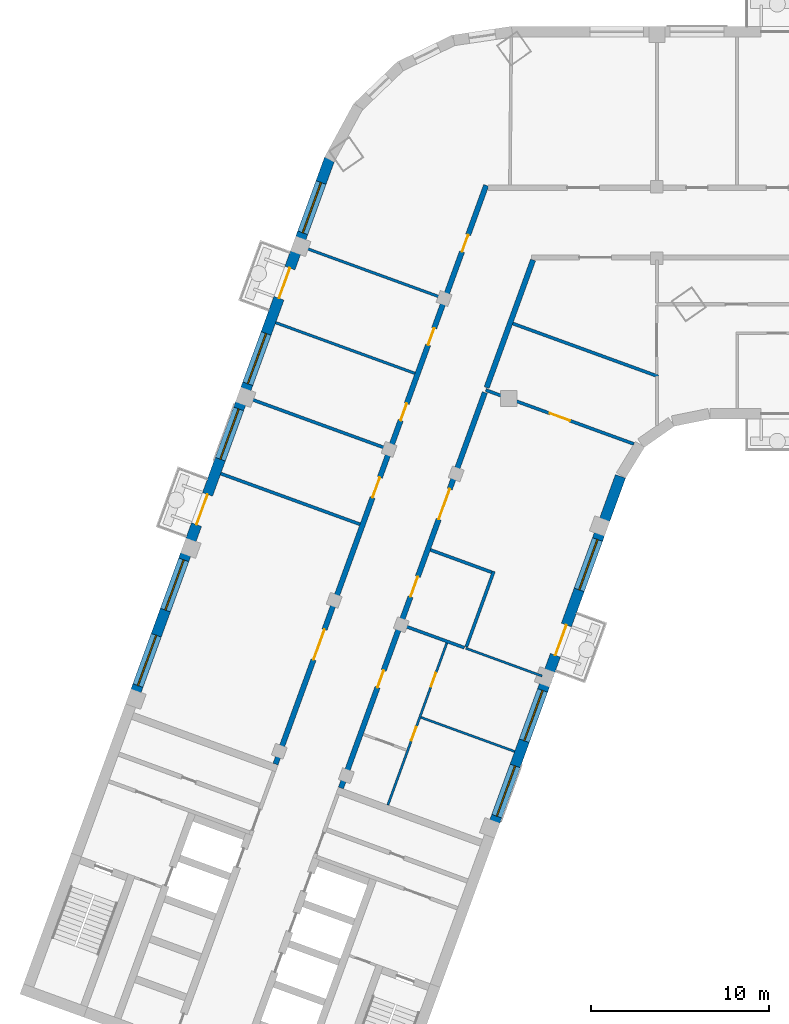
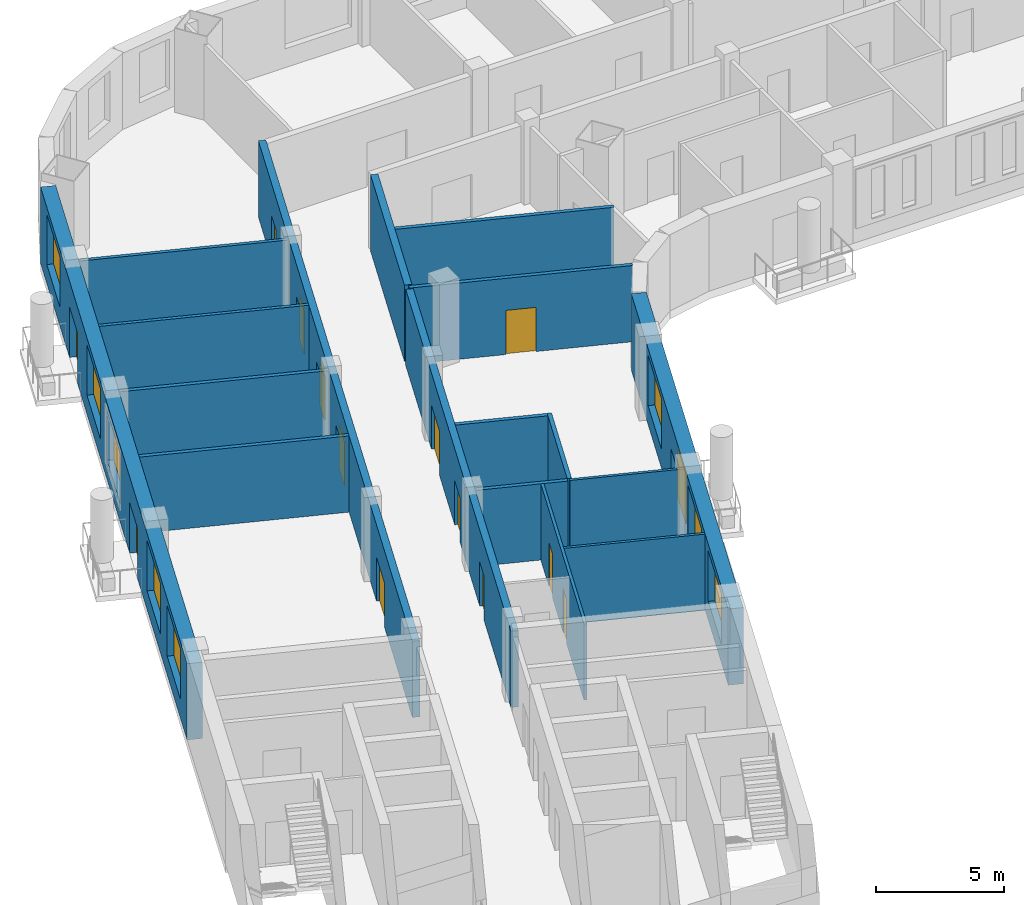
# One storey, part 3 of 16: 17 walls, 14 doors, 8 windows, 22 openings.
"""IFC4 building model written with IfcOpenShell, lengths in metres."""

import ifcopenshell
import ifcopenshell.guid

model = None  # the IFC model being written
_history = None  # IfcOwnerHistory: only IFC2X3 demands one
_inside = {}  # id of a spatial element -> (the spatial element, [elements in it])
_under = {}  # id of a project, library or spatial element -> (it, [spatial elements below it])
_declared = {}  # id of a project -> (the project, [libraries it declares])
_typed = {}  # id of a type object -> (the type object, [elements of that type])
_made_of = {}  # id of a material, layer set ... -> (it, [elements and type objects made of it])


def new_model(schema):
    """Start an empty IFC model of exactly this schema.

    Asked for "IFC4X3", IfcOpenShell would pick the latest addendum, in which some entities
    have other attributes; the version numbers below select the first issue.
    IFC2X3 requires an IfcOwnerHistory on every rooted entity: one is made here for all.
    """
    global model, _history
    if schema == "IFC4X3":
        model = ifcopenshell.file(schema_version=(4, 3, 0, 0))
    else:
        model = ifcopenshell.file(schema=schema)
    _inside.clear()
    _under.clear()
    _declared.clear()
    _typed.clear()
    _made_of.clear()
    _history = None
    if model.schema == "IFC2X3":
        org = make("IfcOrganization", Name="unknown")
        user = make(
            "IfcPersonAndOrganization",
            ThePerson=make("IfcPerson", FamilyName="unknown"),
            TheOrganization=org,
        )
        app = make(
            "IfcApplication",
            ApplicationDeveloper=org,
            Version="unknown",
            ApplicationFullName="unknown",
            ApplicationIdentifier="unknown",
        )
        _history = make(
            "IfcOwnerHistory",
            OwningUser=user,
            OwningApplication=app,
            ChangeAction="ADDED",
            CreationDate=0,
        )
    return model


def make(cls, **values):
    """One entity of the class cls with the attributes given. An attribute that is None is left unset."""
    return model.create_entity(
        cls, **{name: value for name, value in values.items() if value is not None}
    )


def rooted(cls, **values):
    """An entity with a GlobalId (a new one), such as an element, a storey or a relation."""
    return make(cls, GlobalId=ifcopenshell.guid.new(), OwnerHistory=_history, **values)


def si_unit(unit_type, name, prefix=None):
    """IfcSIUnit, for example si_unit("LENGTHUNIT", "METRE", prefix="MILLI")."""
    return make("IfcSIUnit", UnitType=unit_type, Prefix=prefix, Name=name)


def assignment(units):
    """IfcUnitAssignment: the units of a project."""
    return None if units is None else make("IfcUnitAssignment", Units=units)


def point(xyz):
    """IfcCartesianPoint."""
    return None if xyz is None else make("IfcCartesianPoint", Coordinates=xyz)


def direction(xyz):
    """IfcDirection."""
    return None if xyz is None else make("IfcDirection", DirectionRatios=xyz)


def frame(location, z_axis=None, x_axis=None):
    """IfcAxis2Placement3D, a coordinate frame: its origin and axes. An axis left out is left unset."""
    return make(
        "IfcAxis2Placement3D",
        Location=point(location),
        Axis=direction(z_axis),
        RefDirection=direction(x_axis),
    )


def frame_2d(location, x_axis=None):
    """IfcAxis2Placement2D, a coordinate frame in the plane: its origin and x axis."""
    return make(
        "IfcAxis2Placement2D", Location=point(location), RefDirection=direction(x_axis)
    )


def origin():
    """The frame at (0, 0, 0) with its axes left unset."""
    return frame((0.0, 0.0, 0.0))


def place(relative_to, where):
    """IfcLocalPlacement: puts the frame where relative to a parent placement (None: the world)."""
    return make(
        "IfcLocalPlacement", PlacementRelTo=relative_to, RelativePlacement=where
    )


def context(
    kind, dimensions, precision=None, world=None, true_north=None, identifier=None
):
    """IfcGeometricRepresentationContext, for example the 3D "Model" context."""
    return make(
        "IfcGeometricRepresentationContext",
        ContextIdentifier=identifier,
        ContextType=kind,
        CoordinateSpaceDimension=dimensions,
        Precision=precision,
        WorldCoordinateSystem=world,
        TrueNorth=true_north,
    )


def subcontext(parent, identifier, kind, view, scale=None):
    """IfcGeometricRepresentationSubContext, for example "Body" below "Model"."""
    return make(
        "IfcGeometricRepresentationSubContext",
        ContextIdentifier=identifier,
        ContextType=kind,
        ParentContext=parent,
        TargetScale=scale,
        TargetView=view,
    )


def project(units=None, contexts=None):
    """IfcProject with its units and contexts."""
    return rooted(
        "IfcProject",
        Name="project",
        RepresentationContexts=contexts,
        UnitsInContext=assignment(units),
    )


def spatial(cls, under=None, at=None, **own):
    """A site, building, storey or space (cls), placed at a placement, below another one or the project."""
    s = rooted(cls, ObjectPlacement=at, **own)
    if under is not None:
        _under.setdefault(under.id(), (under, []))[1].append(s)
    return s


def profile(cls, at=None, kind="AREA", **sizes):
    """A parametric profile (cls). Its sizes go by their IFC names, for example OverallWidth=200.0."""
    return make(cls, ProfileType=kind, Position=at, **sizes)


def rectangle(**sizes):
    """IfcRectangleProfileDef."""
    return profile("IfcRectangleProfileDef", **sizes)


def extrude(swept, where, along, depth):
    """IfcExtrudedAreaSolid: the profile swept, set in the frame where, extruded along a direction by depth."""
    return make(
        "IfcExtrudedAreaSolid",
        SweptArea=swept,
        Position=where,
        ExtrudedDirection=direction(along),
        Depth=depth,
    )


def shape(context_of_items, identifier, shape_type, items):
    """IfcShapeRepresentation: the items that make up one representation, for example the "Body"."""
    return make(
        "IfcShapeRepresentation",
        ContextOfItems=context_of_items,
        RepresentationIdentifier=identifier,
        RepresentationType=shape_type,
        Items=items,
    )


def material(Name=None, Category=None):
    """IfcMaterial."""
    return make("IfcMaterial", Name=Name, Category=Category)


def layer(
    of_material, thickness, ventilated=None, Name=None, Category=None, Priority=None
):
    """IfcMaterialLayer: one layer of a wall or slab, of a material (None: an air gap)."""
    return make(
        "IfcMaterialLayer",
        Material=of_material,
        LayerThickness=thickness,
        IsVentilated=ventilated,
        Name=Name,
        Category=Category,
        Priority=Priority,
    )


def layer_set(layers, Name=None):
    """IfcMaterialLayerSet."""
    return make("IfcMaterialLayerSet", MaterialLayers=layers, LayerSetName=Name)


def made_of(thing, what):
    """Note that an element or type object is made of a material, layer set ...; save() writes the relation."""
    if what is not None:
        _made_of.setdefault(what.id(), (what, []))[1].append(thing)
    return thing


def type_object(cls, material=None, **own):
    """A type object (cls), such as IfcWallType, which elements share."""
    return made_of(rooted(cls, **own), material)


def element(
    cls,
    number,
    at=None,
    inside=None,
    cuts=None,
    type_object=None,
    material=None,
    context=None,
    identifier="Body",
    shape_type=None,
    held_by="IfcProductDefinitionShape",
    body=None,
    shapes=None,
    **own,
):
    """One element of the class cls, such as IfcWall. Its Tag is "e" and its number.

    at: its placement. inside: the storey or other place that contains it. cuts: it is an
    opening in that element (IfcRelVoidsElement). A single representation is given by context,
    identifier, shape_type and body (its items); several are given by shapes. held_by: the class
    of the entity that holds the representations. save() writes the other relations.
    """
    e = rooted(cls, Tag="e%d" % number, ObjectPlacement=at, **own)
    if body is not None:
        shapes = [shape(context, identifier, shape_type, body)]
    if shapes is not None:
        e.Representation = make(held_by, Representations=shapes)
    if inside is not None:
        _inside.setdefault(inside.id(), (inside, []))[1].append(e)
    if cuts is not None:
        rooted(
            "IfcRelVoidsElement", RelatingBuildingElement=cuts, RelatedOpeningElement=e
        )
    if type_object is not None:
        _typed.setdefault(type_object.id(), (type_object, []))[1].append(e)
    return made_of(e, material)


def fill(opening, filler):
    """IfcRelFillsElement: the door or window that sits in an opening."""
    return rooted(
        "IfcRelFillsElement",
        RelatingOpeningElement=opening,
        RelatedBuildingElement=filler,
    )


def aggregate(whole, parts):
    """IfcRelAggregates: a whole, such as a stair, and the parts it consists of."""
    return rooted("IfcRelAggregates", RelatingObject=whole, RelatedObjects=parts)


def save(model, path):
    """Write the relations noted so far, then the file.

    IfcRelAggregates (storeys below a building ...), IfcRelContainedInSpatialStructure (elements
    in a storey), IfcRelDefinesByType, IfcRelAssociatesMaterial and IfcRelDeclares: one each for
    every whole, place, type object, material and project.
    """
    for whole, parts in _under.values():
        aggregate(whole, parts)
    for where, things in _inside.values():
        rooted(
            "IfcRelContainedInSpatialStructure",
            RelatedElements=things,
            RelatingStructure=where,
        )
    for kind, things in _typed.values():
        rooted("IfcRelDefinesByType", RelatedObjects=things, RelatingType=kind)
    for what, things in _made_of.values():
        rooted("IfcRelAssociatesMaterial", RelatedObjects=things, RelatingMaterial=what)
    for by, libraries in _declared.values():
        rooted("IfcRelDeclares", RelatingContext=by, RelatedDefinitions=libraries)
    model.write(path)


model = new_model("IFC4")

# Units and contexts
model_context = context("Model", 3, precision=1e-05, world=origin(), true_north=direction((0.0, 1.0)))
body_context = subcontext(model_context, "Body", "Model", "MODEL_VIEW")
ifc_project = project(units=[si_unit("LENGTHUNIT", "METRE"), si_unit("AREAUNIT", "SQUARE_METRE"), si_unit("VOLUMEUNIT", "CUBIC_METRE"), si_unit("PLANEANGLEUNIT", "RADIAN"), si_unit("MASSUNIT", "GRAM", prefix="KILO")], contexts=[model_context])

# Site, building, storey
site_placement = place(None, origin())
site = spatial("IfcSite", under=ifc_project, at=site_placement, CompositionType="ELEMENT")
building_placement = place(site_placement, origin())
building = spatial("IfcBuilding", under=site, at=building_placement, Name="Skarvind Civic Tower", CompositionType="ELEMENT")
storey_placement = place(building_placement, frame((0.0, 0.0, 67.5)))
storey = spatial("IfcBuildingStorey", under=building, at=storey_placement, Name="L15", CompositionType="ELEMENT", Elevation=67.5)

# Walls
ifc_material_1 = material(Name="Acoustic gypsum board on steel studs", Category="steel")
ifc_layer_1 = layer(ifc_material_1, 0.175048828125)
ifc_layer_set_1 = layer_set([ifc_layer_1], Name="ACOUSTIC MEETING-ROOM PARTITION 175")
wall_type_1 = type_object("IfcWallType", Name="ACOUSTIC MEETING-ROOM PARTITION 175", PredefinedType="PARTITIONING", material=ifc_layer_set_1)
wall_1_placement = place(storey_placement, frame((29.81396484375, 113.93798828125, 0.0), z_axis=(0.0, 0.0, 1.0), x_axis=(0.939697205528, -0.342007546586, 0.0)))
element("IfcWall", 1, at=wall_1_placement, inside=storey, type_object=wall_type_1, Name="Partition 15.001", PredefinedType="PARTITIONING", context=body_context, shape_type="SweptSolid", body=[
    extrude(rectangle(XDim=8.300537109375, YDim=0.175048828125, at=frame_2d((4.150390625, 0.0))), origin(), (0.0, 0.0, 1.0), 3.625),
])
wall_2_placement = place(storey_placement, frame((31.35302734375, 118.166015625, 0.0), z_axis=(0.0, 0.0, 1.0), x_axis=(0.939687752599, -0.342033518263, 0.0)))
element("IfcWall", 2, at=wall_2_placement, inside=storey, type_object=wall_type_1, Name="Partition 15.002", PredefinedType="PARTITIONING", context=body_context, shape_type="SweptSolid", body=[
    extrude(rectangle(XDim=8.30078125, YDim=0.175048828125, at=frame_2d((4.150390625, 0.0))), origin(), (0.0, 0.0, 1.0), 3.625),
])
wall_3_placement = place(storey_placement, frame((40.02099609375, 105.43408203125, 0.0), z_axis=(0.0, 0.0, 1.0), x_axis=(0.939740864669, -0.341887565249, 0.0)))
element("IfcWall", 3, at=wall_3_placement, inside=storey, type_object=wall_type_1, Name="Partition 15.007", PredefinedType="PARTITIONING", context=body_context, shape_type="SweptSolid", body=[
    extrude(rectangle(XDim=3.66259765625, YDim=0.175048828125, at=frame_2d((1.831298828125, 0.0))), origin(), (0.0, 0.0, 1.0), 3.625),
])
wall_4_placement = place(storey_placement, frame((41.56103515625, 109.6630859375, 0.0), z_axis=(0.0, 0.0, 1.0), x_axis=(0.939623960717, -0.342208726434, 0.0)))
element("IfcWall", 4, at=wall_4_placement, inside=storey, type_object=wall_type_1, Name="Partition 15.010", PredefinedType="PARTITIONING", context=body_context, shape_type="SweptSolid", body=[
    extrude(rectangle(XDim=3.662109375, YDim=0.175048828125, at=frame_2d((1.8310546875, 0.0))), origin(), (0.0, 0.0, 1.0), 3.625),
])

# Wall, opening, door
wall_5_placement = place(storey_placement, frame((52.965087890625, 115.597900390625, 0.0), z_axis=(0.0, 0.0, 1.0), x_axis=(-0.939650555598, 0.342135694374, 0.0)))
wall_5 = element("IfcWall", 5, at=wall_5_placement, inside=storey, type_object=wall_type_1, Name="Partition 15.015", PredefinedType="PARTITIONING", context=body_context, shape_type="SweptSolid", body=[
    extrude(rectangle(XDim=8.836181640625, YDim=0.175048828125, at=frame_2d((4.41796875, 0.0))), origin(), (0.0, 0.0, 1.0), 3.625),
])
opening_1_placement = place(wall_5_placement, frame((3.817626953125, 0.0, 0.0)))
opening_1 = element("IfcOpeningElement", 6, at=opening_1_placement, cuts=wall_5, Name="Opening L15-D031", PredefinedType="OPENING", context=body_context, shape_type="SweptSolid", body=[
    extrude(rectangle(XDim=1.199951171875, YDim=2.10009765625, at=frame_2d((0.60009765625, 1.050048828125))), frame((0.0, 0.097412109375, 0.0), z_axis=(0.0, -1.0, 0.0), x_axis=(1.0, 0.0, 0.0)), (0.0, 0.0, 1.0), 0.195068359375),
])
ifc_material_2 = material(Name="Timber door leaf", Category="wood")
door_type_1 = type_object("IfcDoorType", Name="DOOR 1200X2100 DOUBLE TIMBER", OperationType="NOTDEFINED", PredefinedType="DOOR", material=ifc_material_2)
door_1_placement = place(opening_1_placement, origin())
door_1 = element("IfcDoor", 7, at=door_1_placement, inside=storey, type_object=door_type_1, Name="Door L15-D031", OperationType="DOUBLE_DOOR_SINGLE_SWING", OverallHeight=2.10009765625, OverallWidth=1.199951171875, PredefinedType="DOOR", context=body_context, shape_type="SweptSolid", body=[
    extrude(rectangle(XDim=1.199951171875, YDim=2.10009765625, at=frame_2d((0.60009765625, 1.050048828125))), frame((0.0, 0.02490234375, 0.0), z_axis=(0.0, -1.0, 0.0), x_axis=(1.0, 0.0, 0.0)), (0.0, 0.0, 1.0), 0.050048828125),
])
fill(opening_1, door_1)

# Walls
wall_6_placement = place(storey_placement, frame((45.114013671875, 108.4619140625, 0.0), z_axis=(0.0, 0.0, 1.0), x_axis=(-0.342056723843, -0.93967930576, 0.0)))
element("IfcWall", 8, at=wall_6_placement, inside=storey, type_object=wall_type_1, Name="Partition 15.017", PredefinedType="PARTITIONING", context=body_context, shape_type="SweptSolid", body=[
    extrude(rectangle(XDim=4.49951171875, YDim=0.175048828125, at=frame_2d((2.249755859375, 0.0))), origin(), (0.0, 0.0, 1.0), 3.625),
])
wall_7_placement = place(storey_placement, frame((54.320068359375, 119.384033203125, 0.0), z_axis=(0.0, 0.0, 1.0), x_axis=(-0.939632908118, 0.342184157994, 0.0)))
element("IfcWall", 9, at=wall_7_placement, inside=storey, type_object=wall_type_1, Name="Partition 15.021", PredefinedType="PARTITIONING", context=body_context, shape_type="SweptSolid", body=[
    extrude(rectangle(XDim=8.665283203125, YDim=0.175048828125, at=frame_2d((4.33251953125, 0.0))), origin(), (0.0, 0.0, 1.0), 3.625),
])

# Wall, openings, doors
ifc_material_3 = material(Name="Fire-rated gypsum board on steel studs", Category="steel")
ifc_layer_2 = layer(ifc_material_3, 0.300048828125)
ifc_layer_set_2 = layer_set([ifc_layer_2], Name="CORRIDOR WALL 300")
wall_type_2 = type_object("IfcWallType", Name="CORRIDOR WALL 300", PredefinedType="PARTITIONING", material=ifc_layer_set_2)
wall_8_placement = place(storey_placement, frame((32.881103515625, 97.656982421875, 0.0), z_axis=(0.0, 0.0, 1.0), x_axis=(0.342017360004, 0.939693633828, 0.0)))
wall_8 = element("IfcWall", 10, at=wall_8_placement, inside=storey, type_object=wall_type_2, Name="Partition 15.003", PredefinedType="PARTITIONING", context=body_context, shape_type="SweptSolid", body=[
    extrude(rectangle(XDim=34.515625, YDim=0.300048828125, at=frame_2d((17.2578125, 0.0))), origin(), (0.0, 0.0, 1.0), 3.625),
])
opening_2_placement = place(wall_8_placement, frame((6.22509765625, 0.0, 0.0)))
opening_2 = element("IfcOpeningElement", 11, at=opening_2_placement, cuts=wall_8, Name="Opening L15-D017", PredefinedType="OPENING", context=body_context, shape_type="SweptSolid", body=[
    extrude(rectangle(XDim=1.800048828125, YDim=2.10009765625, at=frame_2d((0.89990234375, 1.050048828125))), frame((0.0, 0.159912109375, 0.0), z_axis=(0.0, -1.0, 0.0), x_axis=(1.0, 0.0, 0.0)), (0.0, 0.0, 1.0), 0.320068359375),
])
opening_3_placement = place(wall_8_placement, frame((15.900146484375, 0.0, 0.0)))
opening_3 = element("IfcOpeningElement", 12, at=opening_3_placement, cuts=wall_8, Name="Opening L15-D018", PredefinedType="OPENING", context=body_context, shape_type="SweptSolid", body=[
    extrude(rectangle(XDim=1.199951171875, YDim=2.10009765625, at=frame_2d((0.60009765625, 1.050048828125))), frame((0.0, 0.159912109375, 0.0), z_axis=(0.0, -1.0, 0.0), x_axis=(1.0, 0.0, 0.0)), (0.0, 0.0, 1.0), 0.320068359375),
])
opening_4_placement = place(wall_8_placement, frame((20.5, 0.0, 0.0)))
opening_4 = element("IfcOpeningElement", 13, at=opening_4_placement, cuts=wall_8, Name="Opening L15-D019", PredefinedType="OPENING", context=body_context, shape_type="SweptSolid", body=[
    extrude(rectangle(XDim=1.0, YDim=2.10009765625, at=frame_2d((0.5, 1.050048828125))), frame((0.0, 0.159912109375, 0.0), z_axis=(0.0, -1.0, 0.0), x_axis=(1.0, 0.0, 0.0)), (0.0, 0.0, 1.0), 0.320068359375),
])
opening_5_placement = place(wall_8_placement, frame((25.000244140625, 0.0, 0.0)))
opening_5 = element("IfcOpeningElement", 14, at=opening_5_placement, cuts=wall_8, Name="Opening L15-D020", PredefinedType="OPENING", context=body_context, shape_type="SweptSolid", body=[
    extrude(rectangle(XDim=1.0, YDim=2.10009765625, at=frame_2d((0.5, 1.050048828125))), frame((0.0, 0.159912109375, 0.0), z_axis=(0.0, -1.0, 0.0), x_axis=(1.0, 0.0, 0.0)), (0.0, 0.0, 1.0), 0.320068359375),
])
opening_6_placement = place(wall_8_placement, frame((30.5615234375, 0.0, 0.0)))
opening_6 = element("IfcOpeningElement", 15, at=opening_6_placement, cuts=wall_8, Name="Opening L15-D027", PredefinedType="OPENING", context=body_context, shape_type="SweptSolid", body=[
    extrude(rectangle(XDim=1.0, YDim=2.10009765625, at=frame_2d((0.5, 1.050048828125))), frame((0.0, 0.159912109375, 0.0), z_axis=(0.0, -1.0, 0.0), x_axis=(1.0, 0.0, 0.0)), (0.0, 0.0, 1.0), 0.320068359375),
])
ifc_material_4 = material(Name="Fire-rated timber door leaf", Category="wood")
door_type_2 = type_object("IfcDoorType", Name="FD1 1000x2100", OperationType="NOTDEFINED", PredefinedType="DOOR", material=ifc_material_4)
door_2_placement = place(opening_4_placement, origin())
door_2 = element("IfcDoor", 16, at=door_2_placement, inside=storey, type_object=door_type_2, Name="Door L15-D019", OperationType="SINGLE_SWING_LEFT", OverallHeight=2.10009765625, OverallWidth=1.0, PredefinedType="DOOR", context=body_context, shape_type="SweptSolid", body=[
    extrude(rectangle(XDim=1.0, YDim=2.10009765625, at=frame_2d((0.5, 1.050048828125))), frame((0.0, 0.02490234375, 0.0), z_axis=(0.0, -1.0, 0.0), x_axis=(1.0, 0.0, 0.0)), (0.0, 0.0, 1.0), 0.050048828125),
])
fill(opening_4, door_2)
door_3_placement = place(opening_5_placement, origin())
door_3 = element("IfcDoor", 17, at=door_3_placement, inside=storey, type_object=door_type_2, Name="Door L15-D020", OperationType="SINGLE_SWING_RIGHT", OverallHeight=2.10009765625, OverallWidth=1.0, PredefinedType="DOOR", context=body_context, shape_type="SweptSolid", body=[
    extrude(rectangle(XDim=1.0, YDim=2.10009765625, at=frame_2d((0.5, 1.050048828125))), frame((0.0, 0.02490234375, 0.0), z_axis=(0.0, -1.0, 0.0), x_axis=(1.0, 0.0, 0.0)), (0.0, 0.0, 1.0), 0.050048828125),
])
fill(opening_5, door_3)
door_4_placement = place(opening_6_placement, origin())
door_4 = element("IfcDoor", 18, at=door_4_placement, inside=storey, type_object=door_type_2, Name="Door L15-D027", OperationType="SINGLE_SWING_LEFT", OverallHeight=2.10009765625, OverallWidth=1.0, PredefinedType="DOOR", context=body_context, shape_type="SweptSolid", body=[
    extrude(rectangle(XDim=1.0, YDim=2.10009765625, at=frame_2d((0.5, 1.050048828125))), frame((0.0, 0.02490234375, 0.0), z_axis=(0.0, -1.0, 0.0), x_axis=(1.0, 0.0, 0.0)), (0.0, 0.0, 1.0), 0.050048828125),
])
fill(opening_6, door_4)
door_type_3 = type_object("IfcDoorType", Name="FD4 1800x2100", OperationType="NOTDEFINED", PredefinedType="DOOR", material=ifc_material_4)
door_5_placement = place(opening_2_placement, origin())
door_5 = element("IfcDoor", 19, at=door_5_placement, inside=storey, type_object=door_type_3, Name="Door L15-D017", OperationType="DOUBLE_DOOR_SINGLE_SWING", OverallHeight=2.10009765625, OverallWidth=1.800048828125, PredefinedType="DOOR", context=body_context, shape_type="SweptSolid", body=[
    extrude(rectangle(XDim=1.800048828125, YDim=2.10009765625, at=frame_2d((0.89990234375, 1.050048828125))), frame((0.0, 0.02490234375, 0.0), z_axis=(0.0, -1.0, 0.0), x_axis=(1.0, 0.0, 0.0)), (0.0, 0.0, 1.0), 0.050048828125),
])
fill(opening_2, door_5)
door_type_4 = type_object("IfcDoorType", Name="FD6 1200x2100 DOUBLE", OperationType="NOTDEFINED", PredefinedType="DOOR", material=ifc_material_4)
door_6_placement = place(opening_3_placement, origin())
door_6 = element("IfcDoor", 20, at=door_6_placement, inside=storey, type_object=door_type_4, Name="Door L15-D018", OperationType="DOUBLE_DOOR_SINGLE_SWING", OverallHeight=2.10009765625, OverallWidth=1.199951171875, PredefinedType="DOOR", context=body_context, shape_type="SweptSolid", body=[
    extrude(rectangle(XDim=1.199951171875, YDim=2.10009765625, at=frame_2d((0.60009765625, 1.050048828125))), frame((0.0, 0.02490234375, 0.0), z_axis=(0.0, -1.0, 0.0), x_axis=(1.0, 0.0, 0.0)), (0.0, 0.0, 1.0), 0.050048828125),
])
fill(opening_3, door_6)

wall_9_placement = place(storey_placement, frame((44.612060546875, 118.48291015625, 0.0), z_axis=(0.0, 0.0, 1.0), x_axis=(-0.342043123066, -0.939684256526, 0.0)))
wall_9 = element("IfcWall", 21, at=wall_9_placement, inside=storey, type_object=wall_type_2, Name="Partition 15.016", PredefinedType="PARTITIONING", context=body_context, shape_type="SweptSolid", body=[
    extrude(rectangle(XDim=23.582275390625, YDim=0.300048828125, at=frame_2d((11.791015625, 0.0))), origin(), (0.0, 0.0, 1.0), 3.625),
])
opening_7_placement = place(wall_9_placement, frame((16.58251953125, 0.0, 0.0)))
opening_7 = element("IfcOpeningElement", 22, at=opening_7_placement, cuts=wall_9, Name="Opening L15-D021", PredefinedType="OPENING", context=body_context, shape_type="SweptSolid", body=[
    extrude(rectangle(XDim=1.0, YDim=2.10009765625, at=frame_2d((0.5, 1.050048828125))), frame((0.0, 0.159912109375, 0.0), z_axis=(0.0, -1.0, 0.0), x_axis=(1.0, 0.0, 0.0)), (0.0, 0.0, 1.0), 0.320068359375),
])
opening_8_placement = place(wall_9_placement, frame((10.982177734375, 0.0, 0.0)))
opening_8 = element("IfcOpeningElement", 23, at=opening_8_placement, cuts=wall_9, Name="Opening L15-D025", PredefinedType="OPENING", context=body_context, shape_type="SweptSolid", body=[
    extrude(rectangle(XDim=1.199951171875, YDim=2.10009765625, at=frame_2d((0.60009765625, 1.050048828125))), frame((0.0, 0.159912109375, 0.0), z_axis=(0.0, -1.0, 0.0), x_axis=(1.0, 0.0, 0.0)), (0.0, 0.0, 1.0), 0.320068359375),
])
opening_9_placement = place(wall_9_placement, frame((5.755859375, 0.0, 0.0)))
opening_9 = element("IfcOpeningElement", 24, at=opening_9_placement, cuts=wall_9, Name="Opening L15-D026", PredefinedType="OPENING", context=body_context, shape_type="SweptSolid", body=[
    extrude(rectangle(XDim=1.800048828125, YDim=2.10009765625, at=frame_2d((0.89990234375, 1.050048828125))), frame((0.0, 0.159912109375, 0.0), z_axis=(0.0, -1.0, 0.0), x_axis=(1.0, 0.0, 0.0)), (0.0, 0.0, 1.0), 0.320068359375),
])
door_7_placement = place(opening_7_placement, origin())
door_7 = element("IfcDoor", 25, at=door_7_placement, inside=storey, type_object=door_type_2, Name="Door L15-D021", OperationType="SINGLE_SWING_LEFT", OverallHeight=2.10009765625, OverallWidth=1.0, PredefinedType="DOOR", context=body_context, shape_type="SweptSolid", body=[
    extrude(rectangle(XDim=1.0, YDim=2.10009765625, at=frame_2d((0.5, 1.050048828125))), frame((0.0, 0.02490234375, 0.0), z_axis=(0.0, -1.0, 0.0), x_axis=(1.0, 0.0, 0.0)), (0.0, 0.0, 1.0), 0.050048828125),
])
fill(opening_7, door_7)
door_8_placement = place(opening_9_placement, origin())
door_8 = element("IfcDoor", 26, at=door_8_placement, inside=storey, type_object=door_type_3, Name="Door L15-D026", OperationType="DOUBLE_DOOR_SINGLE_SWING", OverallHeight=2.10009765625, OverallWidth=1.800048828125, PredefinedType="DOOR", context=body_context, shape_type="SweptSolid", body=[
    extrude(rectangle(XDim=1.800048828125, YDim=2.10009765625, at=frame_2d((0.89990234375, 1.050048828125))), frame((0.0, 0.02490234375, 0.0), z_axis=(0.0, -1.0, 0.0), x_axis=(1.0, 0.0, 0.0)), (0.0, 0.0, 1.0), 0.050048828125),
])
fill(opening_9, door_8)
door_9_placement = place(opening_8_placement, origin())
door_9 = element("IfcDoor", 27, at=door_9_placement, inside=storey, type_object=door_type_4, Name="Door L15-D025", OperationType="DOUBLE_DOOR_SINGLE_SWING", OverallHeight=2.10009765625, OverallWidth=1.199951171875, PredefinedType="DOOR", context=body_context, shape_type="SweptSolid", body=[
    extrude(rectangle(XDim=1.199951171875, YDim=2.10009765625, at=frame_2d((0.60009765625, 1.050048828125))), frame((0.0, 0.02490234375, 0.0), z_axis=(0.0, -1.0, 0.0), x_axis=(1.0, 0.0, 0.0)), (0.0, 0.0, 1.0), 0.050048828125),
])
fill(opening_8, door_9)

# Walls
wall_10_placement = place(storey_placement, frame((47.31396484375, 125.908935546875, 0.0), z_axis=(0.0, 0.0, 1.0), x_axis=(-0.34198522802, -0.939705328183, 0.0)))
element("IfcWall", 28, at=wall_10_placement, inside=storey, type_object=wall_type_2, Name="Partition 15.019", PredefinedType="PARTITIONING", context=body_context, shape_type="SweptSolid", body=[
    extrude(rectangle(XDim=7.608642578125, YDim=0.300048828125, at=frame_2d((3.80419921875, 0.0))), origin(), (0.0, 0.0, 1.0), 3.625),
])
ifc_material_5 = material(Name="Plasterboard partition on steel studs", Category="steel")
ifc_layer_3 = layer(ifc_material_5, 0.14990234375)
ifc_layer_set_3 = layer_set([ifc_layer_3], Name="PARTITION 150")
wall_type_3 = type_object("IfcWallType", Name="PARTITION 150", PredefinedType="PARTITIONING", material=ifc_layer_set_3)
wall_11_placement = place(storey_placement, frame((32.89208984375, 122.39501953125, 0.0), z_axis=(0.0, 0.0, 1.0), x_axis=(0.939684311623, -0.3420429717, 0.0)))
element("IfcWall", 29, at=wall_11_placement, inside=storey, type_object=wall_type_3, Name="Partition 15.004", PredefinedType="PARTITIONING", context=body_context, shape_type="SweptSolid", body=[
    extrude(rectangle(XDim=8.300537109375, YDim=0.14990234375, at=frame_2d((4.150390625, 0.0))), origin(), (0.0, 0.0, 1.0), 3.625),
])
wall_12_placement = place(storey_placement, frame((42.23095703125, 123.784912109375, 0.0), z_axis=(0.0, 0.0, 1.0), x_axis=(-0.939687752599, 0.342033518263, 0.0)))
element("IfcWall", 30, at=wall_12_placement, inside=storey, type_object=wall_type_3, Name="Partition 15.011", PredefinedType="PARTITIONING", context=body_context, shape_type="SweptSolid", body=[
    extrude(rectangle(XDim=8.30078125, YDim=0.14990234375, at=frame_2d((4.150390625, 0.0))), origin(), (0.0, 0.0, 1.0), 3.625),
])

# Wall, openings, doors
ifc_material_6 = material(Name="Moisture-resistant gypsum board on steel studs", Category="steel")
ifc_layer_4 = layer(ifc_material_6, 0.125)
ifc_layer_set_4 = layer_set([ifc_layer_4], Name="WC PARTITION 125")
wall_type_4 = type_object("IfcWallType", Name="WC PARTITION 125", PredefinedType="PARTITIONING", material=ifc_layer_set_4)
wall_13_placement = place(storey_placement, frame((42.48193359375, 104.446044921875, 0.0), z_axis=(0.0, 0.0, 1.0), x_axis=(-0.342025030348, -0.939690842041, 0.0)))
wall_13 = element("IfcWall", 31, at=wall_13_placement, inside=storey, type_object=wall_type_4, Name="Partition 15.006", PredefinedType="PARTITIONING", context=body_context, shape_type="SweptSolid", body=[
    extrude(rectangle(XDim=9.662841796875, YDim=0.125, at=frame_2d((4.83154296875, 0.0))), origin(), (0.0, 0.0, 1.0), 3.625),
])
opening_10_placement = place(wall_13_placement, frame((1.796630859375, 0.0, 0.0)))
opening_10 = element("IfcOpeningElement", 32, at=opening_10_placement, cuts=wall_13, Name="Opening L15-D023", PredefinedType="OPENING", context=body_context, shape_type="SweptSolid", body=[
    extrude(rectangle(XDim=0.800048828125, YDim=2.10009765625, at=frame_2d((0.39990234375, 1.050048828125))), frame((0.0, 0.072509765625, 0.0), z_axis=(0.0, -1.0, 0.0), x_axis=(1.0, 0.0, 0.0)), (0.0, 0.0, 1.0), 0.14501953125),
])
opening_11_placement = place(wall_13_placement, frame((5.0146484375, 0.0, 0.0)))
opening_11 = element("IfcOpeningElement", 33, at=opening_11_placement, cuts=wall_13, Name="Opening L15-D024", PredefinedType="OPENING", context=body_context, shape_type="SweptSolid", body=[
    extrude(rectangle(XDim=0.800048828125, YDim=2.10009765625, at=frame_2d((0.39990234375, 1.050048828125))), frame((0.0, 0.072509765625, 0.0), z_axis=(0.0, -1.0, 0.0), x_axis=(1.0, 0.0, 0.0)), (0.0, 0.0, 1.0), 0.14501953125),
])
door_type_5 = type_object("IfcDoorType", Name="DOOR 800X2100 TIMBER", OperationType="NOTDEFINED", PredefinedType="DOOR", material=ifc_material_2)
door_10_placement = place(opening_10_placement, origin())
door_10 = element("IfcDoor", 34, at=door_10_placement, inside=storey, type_object=door_type_5, Name="Door L15-D023", OperationType="SINGLE_SWING_RIGHT", OverallHeight=2.10009765625, OverallWidth=0.800048828125, PredefinedType="DOOR", context=body_context, shape_type="SweptSolid", body=[
    extrude(rectangle(XDim=0.800048828125, YDim=2.10009765625, at=frame_2d((0.39990234375, 1.050048828125))), frame((0.0, 0.02490234375, 0.0), z_axis=(0.0, -1.0, 0.0), x_axis=(1.0, 0.0, 0.0)), (0.0, 0.0, 1.0), 0.050048828125),
])
fill(opening_10, door_10)
door_11_placement = place(opening_11_placement, origin())
door_11 = element("IfcDoor", 35, at=door_11_placement, inside=storey, type_object=door_type_5, Name="Door L15-D024", OperationType="SINGLE_SWING_LEFT", OverallHeight=2.10009765625, OverallWidth=0.800048828125, PredefinedType="DOOR", context=body_context, shape_type="SweptSolid", body=[
    extrude(rectangle(XDim=0.800048828125, YDim=2.10009765625, at=frame_2d((0.39990234375, 1.050048828125))), frame((0.0, 0.02490234375, 0.0), z_axis=(0.0, -1.0, 0.0), x_axis=(1.0, 0.0, 0.0)), (0.0, 0.0, 1.0), 0.050048828125),
])
fill(opening_11, door_11)

# Walls
wall_14_placement = place(storey_placement, frame((41.031005859375, 100.278076171875, 0.0), z_axis=(0.0, 0.0, 1.0), x_axis=(0.939696437289, -0.342009657388, 0.0)))
element("IfcWall", 36, at=wall_14_placement, inside=storey, type_object=wall_type_4, Name="Partition 15.009", PredefinedType="PARTITIONING", context=body_context, shape_type="SweptSolid", body=[
    extrude(rectangle(XDim=5.587890625, YDim=0.125, at=frame_2d((2.7939453125, 0.0))), origin(), (0.0, 0.0, 1.0), 3.625),
])
wall_15_placement = place(storey_placement, frame((43.5419921875, 104.153076171875, 0.0), z_axis=(0.0, 0.0, 1.0), x_axis=(0.939646198652, -0.34214766017, 0.0)))
element("IfcWall", 37, at=wall_15_placement, inside=storey, type_object=wall_type_4, Name="Partition 15.012", PredefinedType="PARTITIONING", context=body_context, shape_type="SweptSolid", body=[
    extrude(rectangle(XDim=4.553955078125, YDim=0.125, at=frame_2d((2.27685546875, 0.0))), origin(), (0.0, 0.0, 1.0), 3.625),
])

# Wall, openings, door, windows
ifc_material_7 = material(Name="Limestone masonry cladding on insulated backing", Category="masonry")
ifc_layer_5 = layer(ifc_material_7, 0.60009765625)
ifc_layer_set_5 = layer_set([ifc_layer_5], Name="WX1 STONE FACADE WALL 600")
wall_type_5 = type_object("IfcWallType", Name="WX1 STONE FACADE WALL 600", PredefinedType="SOLIDWALL", material=ifc_layer_set_5)
wall_16_placement = place(storey_placement, frame((52.212158203125, 113.78271484375, 0.0), z_axis=(0.0, 0.0, 1.0), x_axis=(-0.34202521188, -0.939690775968, 0.0)))
wall_16 = element("IfcWall", 38, at=wall_16_placement, inside=storey, type_object=wall_type_5, Name="STONE FACADE WALL", PredefinedType="SOLIDWALL", context=body_context, shape_type="SweptSolid", body=[
    extrude(rectangle(XDim=21.744873046875, YDim=0.60009765625, at=frame_2d((10.87255859375, 0.0))), origin(), (0.0, 0.0, 1.0), 3.625),
])
opening_12_placement = place(wall_16_placement, frame((3.764892578125, 0.0, 0.89990234375)))
opening_12 = element("IfcOpeningElement", 39, at=opening_12_placement, cuts=wall_16, Name="Opening WN1", PredefinedType="OPENING", context=body_context, shape_type="SweptSolid", body=[
    extrude(rectangle(XDim=3.0, YDim=2.39990234375, at=frame_2d((1.5, 1.199951171875))), frame((0.0, 0.31005859375, 0.0), z_axis=(0.0, -1.0, 0.0), x_axis=(1.0, 0.0, 0.0)), (0.0, 0.0, 1.0), 0.6201171875),
])
opening_13_placement = place(wall_16_placement, frame((8.864990234375, 0.0, 0.0)))
opening_13 = element("IfcOpeningElement", 40, at=opening_13_placement, cuts=wall_16, Name="Opening DX3", PredefinedType="OPENING", context=body_context, shape_type="SweptSolid", body=[
    extrude(rectangle(XDim=1.800048828125, YDim=2.39990234375, at=frame_2d((0.89990234375, 1.199951171875))), frame((0.0, 0.31005859375, 0.0), z_axis=(0.0, -1.0, 0.0), x_axis=(1.0, 0.0, 0.0)), (0.0, 0.0, 1.0), 0.6201171875),
])
opening_14_placement = place(wall_16_placement, frame((12.764892578125, 0.0, 0.89990234375)))
opening_14 = element("IfcOpeningElement", 41, at=opening_14_placement, cuts=wall_16, Name="Opening WN1", PredefinedType="OPENING", context=body_context, shape_type="SweptSolid", body=[
    extrude(rectangle(XDim=3.0, YDim=2.39990234375, at=frame_2d((1.5, 1.199951171875))), frame((0.0, 0.31005859375, 0.0), z_axis=(0.0, -1.0, 0.0), x_axis=(1.0, 0.0, 0.0)), (0.0, 0.0, 1.0), 0.6201171875),
])
opening_15_placement = place(wall_16_placement, frame((17.264892578125, 0.0, 0.89990234375)))
opening_15 = element("IfcOpeningElement", 42, at=opening_15_placement, cuts=wall_16, Name="Opening WN1", PredefinedType="OPENING", context=body_context, shape_type="SweptSolid", body=[
    extrude(rectangle(XDim=3.0, YDim=2.39990234375, at=frame_2d((1.5, 1.199951171875))), frame((0.0, 0.31005859375, 0.0), z_axis=(0.0, -1.0, 0.0), x_axis=(1.0, 0.0, 0.0)), (0.0, 0.0, 1.0), 0.6201171875),
])
ifc_material_8 = material(Name="Timber and glass doorset", Category="wood")
door_type_6 = type_object("IfcDoorType", Name="DX3 TERRACE DOORS 1800 x 2400", OperationType="NOTDEFINED", PredefinedType="DOOR", material=ifc_material_8)
door_12_placement = place(opening_13_placement, origin())
door_12 = element("IfcDoor", 43, at=door_12_placement, inside=storey, type_object=door_type_6, Name="TERRACE DOORS", OperationType="DOUBLE_DOOR_SINGLE_SWING", OverallHeight=2.39990234375, OverallWidth=1.800048828125, PredefinedType="DOOR", context=body_context, shape_type="SweptSolid", body=[
    extrude(rectangle(XDim=1.800048828125, YDim=2.39990234375, at=frame_2d((0.89990234375, 1.199951171875))), frame((0.0, 0.02490234375, 0.0), z_axis=(0.0, -1.0, 0.0), x_axis=(1.0, 0.0, 0.0)), (0.0, 0.0, 1.0), 0.050048828125),
])
fill(opening_13, door_12)
ifc_material_9 = material(Name="Timber frame, double glazing, timber-lined reveal", Category="wood")
window_type = type_object("IfcWindowType", Name="WN1 PUNCHED STONE WINDOW 3000 x 2400", PartitioningType="SINGLE_PANEL", PredefinedType="WINDOW", material=ifc_material_9)
window_1_placement = place(opening_12_placement, origin())
window_1 = element("IfcWindow", 44, at=window_1_placement, inside=storey, type_object=window_type, Name="WN1 WINDOW", OverallHeight=2.39990234375, OverallWidth=3.0, PartitioningType="SINGLE_PANEL", PredefinedType="WINDOW", context=body_context, shape_type="SweptSolid", body=[
    extrude(rectangle(XDim=3.0, YDim=2.39990234375, at=frame_2d((1.5, 1.199951171875))), frame((0.0, 0.030029296875, 0.0), z_axis=(0.0, -1.0, 0.0), x_axis=(1.0, 0.0, 0.0)), (0.0, 0.0, 1.0), 0.06005859375),
])
fill(opening_12, window_1)
window_2_placement = place(opening_14_placement, origin())
window_2 = element("IfcWindow", 45, at=window_2_placement, inside=storey, type_object=window_type, Name="WN1 WINDOW", OverallHeight=2.39990234375, OverallWidth=3.0, PartitioningType="SINGLE_PANEL", PredefinedType="WINDOW", context=body_context, shape_type="SweptSolid", body=[
    extrude(rectangle(XDim=3.0, YDim=2.39990234375, at=frame_2d((1.5, 1.199951171875))), frame((0.0, 0.030029296875, 0.0), z_axis=(0.0, -1.0, 0.0), x_axis=(1.0, 0.0, 0.0)), (0.0, 0.0, 1.0), 0.06005859375),
])
fill(opening_14, window_2)
window_3_placement = place(opening_15_placement, origin())
window_3 = element("IfcWindow", 46, at=window_3_placement, inside=storey, type_object=window_type, Name="WN1 WINDOW", OverallHeight=2.39990234375, OverallWidth=3.0, PartitioningType="SINGLE_PANEL", PredefinedType="WINDOW", context=body_context, shape_type="SweptSolid", body=[
    extrude(rectangle(XDim=3.0, YDim=2.39990234375, at=frame_2d((1.5, 1.199951171875))), frame((0.0, 0.030029296875, 0.0), z_axis=(0.0, -1.0, 0.0), x_axis=(1.0, 0.0, 0.0)), (0.0, 0.0, 1.0), 0.06005859375),
])
fill(opening_15, window_3)

# Wall, openings, doors, windows
wall_17_placement = place(storey_placement, frame((24.66552734375, 100.668701171875, 0.0), z_axis=(0.0, 0.0, 1.0), x_axis=(0.34201964167, 0.939692803373, 0.0)))
wall_17 = element("IfcWall", 47, at=wall_17_placement, inside=storey, type_object=wall_type_5, Name="STONE FACADE WALL", PredefinedType="SOLIDWALL", context=body_context, shape_type="SweptSolid", body=[
    extrude(rectangle(XDim=32.88427734375, YDim=0.60009765625, at=frame_2d((16.442138671875, 0.0))), origin(), (0.0, 0.0, 1.0), 3.625),
])
opening_16_placement = place(wall_17_placement, frame((1.47998046875, 0.0, 0.89990234375)))
opening_16 = element("IfcOpeningElement", 48, at=opening_16_placement, cuts=wall_17, Name="Opening WN1", PredefinedType="OPENING", context=body_context, shape_type="SweptSolid", body=[
    extrude(rectangle(XDim=3.0, YDim=2.39990234375, at=frame_2d((1.5, 1.199951171875))), frame((0.0, 0.31005859375, 0.0), z_axis=(0.0, -1.0, 0.0), x_axis=(1.0, 0.0, 0.0)), (0.0, 0.0, 1.0), 0.6201171875),
])
opening_17_placement = place(wall_17_placement, frame((5.97998046875, 0.0, 0.89990234375)))
opening_17 = element("IfcOpeningElement", 49, at=opening_17_placement, cuts=wall_17, Name="Opening WN1", PredefinedType="OPENING", context=body_context, shape_type="SweptSolid", body=[
    extrude(rectangle(XDim=3.0, YDim=2.39990234375, at=frame_2d((1.5, 1.199951171875))), frame((0.0, 0.31005859375, 0.0), z_axis=(0.0, -1.0, 0.0), x_axis=(1.0, 0.0, 0.0)), (0.0, 0.0, 1.0), 0.6201171875),
])
opening_18_placement = place(wall_17_placement, frame((11.080078125, 0.0, 0.0)))
opening_18 = element("IfcOpeningElement", 50, at=opening_18_placement, cuts=wall_17, Name="Opening DX3", PredefinedType="OPENING", context=body_context, shape_type="SweptSolid", body=[
    extrude(rectangle(XDim=1.800048828125, YDim=2.39990234375, at=frame_2d((0.89990234375, 1.199951171875))), frame((0.0, 0.31005859375, 0.0), z_axis=(0.0, -1.0, 0.0), x_axis=(1.0, 0.0, 0.0)), (0.0, 0.0, 1.0), 0.6201171875),
])
opening_19_placement = place(wall_17_placement, frame((14.97998046875, 0.0, 0.89990234375)))
opening_19 = element("IfcOpeningElement", 51, at=opening_19_placement, cuts=wall_17, Name="Opening WN1", PredefinedType="OPENING", context=body_context, shape_type="SweptSolid", body=[
    extrude(rectangle(XDim=3.0, YDim=2.39990234375, at=frame_2d((1.5, 1.199951171875))), frame((0.0, 0.31005859375, 0.0), z_axis=(0.0, -1.0, 0.0), x_axis=(1.0, 0.0, 0.0)), (0.0, 0.0, 1.0), 0.6201171875),
])
opening_20_placement = place(wall_17_placement, frame((19.47998046875, 0.0, 0.89990234375)))
opening_20 = element("IfcOpeningElement", 52, at=opening_20_placement, cuts=wall_17, Name="Opening WN1", PredefinedType="OPENING", context=body_context, shape_type="SweptSolid", body=[
    extrude(rectangle(XDim=3.0, YDim=2.39990234375, at=frame_2d((1.5, 1.199951171875))), frame((0.0, 0.31005859375, 0.0), z_axis=(0.0, -1.0, 0.0), x_axis=(1.0, 0.0, 0.0)), (0.0, 0.0, 1.0), 0.6201171875),
])
opening_21_placement = place(wall_17_placement, frame((24.580078125, 0.0, 0.0)))
opening_21 = element("IfcOpeningElement", 53, at=opening_21_placement, cuts=wall_17, Name="Opening DX3", PredefinedType="OPENING", context=body_context, shape_type="SweptSolid", body=[
    extrude(rectangle(XDim=1.800048828125, YDim=2.39990234375, at=frame_2d((0.89990234375, 1.199951171875))), frame((0.0, 0.31005859375, 0.0), z_axis=(0.0, -1.0, 0.0), x_axis=(1.0, 0.0, 0.0)), (0.0, 0.0, 1.0), 0.6201171875),
])
opening_22_placement = place(wall_17_placement, frame((28.47998046875, 0.0, 0.89990234375)))
opening_22 = element("IfcOpeningElement", 54, at=opening_22_placement, cuts=wall_17, Name="Opening WN1", PredefinedType="OPENING", context=body_context, shape_type="SweptSolid", body=[
    extrude(rectangle(XDim=3.0, YDim=2.39990234375, at=frame_2d((1.5, 1.199951171875))), frame((0.0, 0.31005859375, 0.0), z_axis=(0.0, -1.0, 0.0), x_axis=(1.0, 0.0, 0.0)), (0.0, 0.0, 1.0), 0.6201171875),
])
door_13_placement = place(opening_18_placement, origin())
door_13 = element("IfcDoor", 55, at=door_13_placement, inside=storey, type_object=door_type_6, Name="TERRACE DOORS", OperationType="DOUBLE_DOOR_SINGLE_SWING", OverallHeight=2.39990234375, OverallWidth=1.800048828125, PredefinedType="DOOR", context=body_context, shape_type="SweptSolid", body=[
    extrude(rectangle(XDim=1.800048828125, YDim=2.39990234375, at=frame_2d((0.89990234375, 1.199951171875))), frame((0.0, 0.02490234375, 0.0), z_axis=(0.0, -1.0, 0.0), x_axis=(1.0, 0.0, 0.0)), (0.0, 0.0, 1.0), 0.050048828125),
])
fill(opening_18, door_13)
door_14_placement = place(opening_21_placement, origin())
door_14 = element("IfcDoor", 56, at=door_14_placement, inside=storey, type_object=door_type_6, Name="TERRACE DOORS", OperationType="DOUBLE_DOOR_SINGLE_SWING", OverallHeight=2.39990234375, OverallWidth=1.800048828125, PredefinedType="DOOR", context=body_context, shape_type="SweptSolid", body=[
    extrude(rectangle(XDim=1.800048828125, YDim=2.39990234375, at=frame_2d((0.89990234375, 1.199951171875))), frame((0.0, 0.02490234375, 0.0), z_axis=(0.0, -1.0, 0.0), x_axis=(1.0, 0.0, 0.0)), (0.0, 0.0, 1.0), 0.050048828125),
])
fill(opening_21, door_14)
window_4_placement = place(opening_16_placement, origin())
window_4 = element("IfcWindow", 57, at=window_4_placement, inside=storey, type_object=window_type, Name="WN1 WINDOW", OverallHeight=2.39990234375, OverallWidth=3.0, PartitioningType="SINGLE_PANEL", PredefinedType="WINDOW", context=body_context, shape_type="SweptSolid", body=[
    extrude(rectangle(XDim=3.0, YDim=2.39990234375, at=frame_2d((1.5, 1.199951171875))), frame((0.0, 0.030029296875, 0.0), z_axis=(0.0, -1.0, 0.0), x_axis=(1.0, 0.0, 0.0)), (0.0, 0.0, 1.0), 0.06005859375),
])
fill(opening_16, window_4)
window_5_placement = place(opening_17_placement, origin())
window_5 = element("IfcWindow", 58, at=window_5_placement, inside=storey, type_object=window_type, Name="WN1 WINDOW", OverallHeight=2.39990234375, OverallWidth=3.0, PartitioningType="SINGLE_PANEL", PredefinedType="WINDOW", context=body_context, shape_type="SweptSolid", body=[
    extrude(rectangle(XDim=3.0, YDim=2.39990234375, at=frame_2d((1.5, 1.199951171875))), frame((0.0, 0.030029296875, 0.0), z_axis=(0.0, -1.0, 0.0), x_axis=(1.0, 0.0, 0.0)), (0.0, 0.0, 1.0), 0.06005859375),
])
fill(opening_17, window_5)
window_6_placement = place(opening_19_placement, origin())
window_6 = element("IfcWindow", 59, at=window_6_placement, inside=storey, type_object=window_type, Name="WN1 WINDOW", OverallHeight=2.39990234375, OverallWidth=3.0, PartitioningType="SINGLE_PANEL", PredefinedType="WINDOW", context=body_context, shape_type="SweptSolid", body=[
    extrude(rectangle(XDim=3.0, YDim=2.39990234375, at=frame_2d((1.5, 1.199951171875))), frame((0.0, 0.030029296875, 0.0), z_axis=(0.0, -1.0, 0.0), x_axis=(1.0, 0.0, 0.0)), (0.0, 0.0, 1.0), 0.06005859375),
])
fill(opening_19, window_6)
window_7_placement = place(opening_20_placement, origin())
window_7 = element("IfcWindow", 60, at=window_7_placement, inside=storey, type_object=window_type, Name="WN1 WINDOW", OverallHeight=2.39990234375, OverallWidth=3.0, PartitioningType="SINGLE_PANEL", PredefinedType="WINDOW", context=body_context, shape_type="SweptSolid", body=[
    extrude(rectangle(XDim=3.0, YDim=2.39990234375, at=frame_2d((1.5, 1.199951171875))), frame((0.0, 0.030029296875, 0.0), z_axis=(0.0, -1.0, 0.0), x_axis=(1.0, 0.0, 0.0)), (0.0, 0.0, 1.0), 0.06005859375),
])
fill(opening_20, window_7)
window_8_placement = place(opening_22_placement, origin())
window_8 = element("IfcWindow", 61, at=window_8_placement, inside=storey, type_object=window_type, Name="WN1 WINDOW", OverallHeight=2.39990234375, OverallWidth=3.0, PartitioningType="SINGLE_PANEL", PredefinedType="WINDOW", context=body_context, shape_type="SweptSolid", body=[
    extrude(rectangle(XDim=3.0, YDim=2.39990234375, at=frame_2d((1.5, 1.199951171875))), frame((0.0, 0.030029296875, 0.0), z_axis=(0.0, -1.0, 0.0), x_axis=(1.0, 0.0, 0.0)), (0.0, 0.0, 1.0), 0.06005859375),
])
fill(opening_22, window_8)

save(model, "model.ifc")
